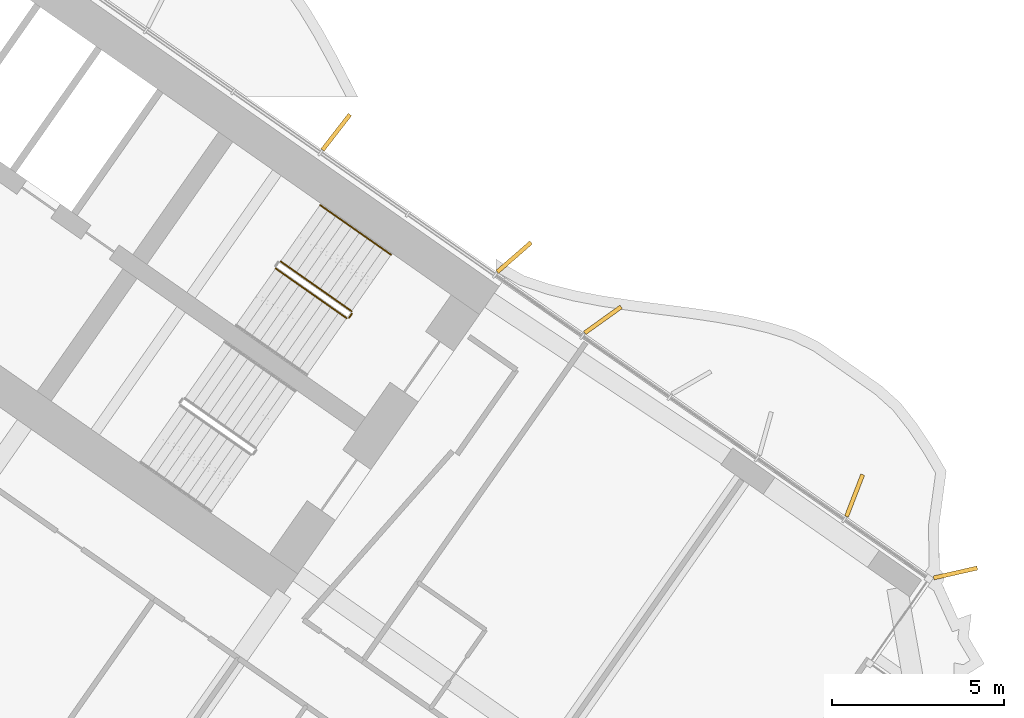
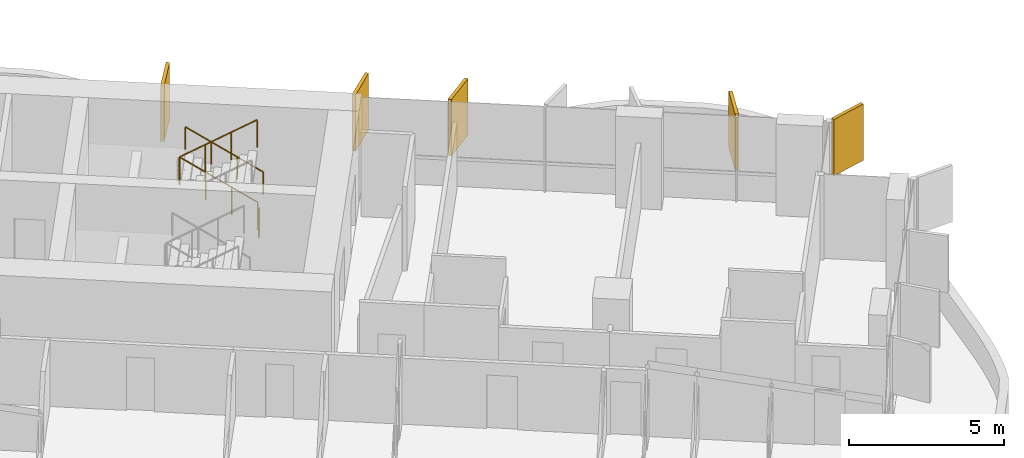
# One storey, part 23 of 23: 5 shading devices, 4 railings.
"""IFC4 building model written with IfcOpenShell, lengths in metres."""

import ifcopenshell
import ifcopenshell.guid

model = None  # the IFC model being written
_history = None  # IfcOwnerHistory: only IFC2X3 demands one
_inside = {}  # id of a spatial element -> (the spatial element, [elements in it])
_under = {}  # id of a project, library or spatial element -> (it, [spatial elements below it])
_declared = {}  # id of a project -> (the project, [libraries it declares])
_typed = {}  # id of a type object -> (the type object, [elements of that type])
_made_of = {}  # id of a material, layer set ... -> (it, [elements and type objects made of it])


def new_model(schema):
    """Start an empty IFC model of exactly this schema.

    Asked for "IFC4X3", IfcOpenShell would pick the latest addendum, in which some entities
    have other attributes; the version numbers below select the first issue.
    IFC2X3 requires an IfcOwnerHistory on every rooted entity: one is made here for all.
    """
    global model, _history
    if schema == "IFC4X3":
        model = ifcopenshell.file(schema_version=(4, 3, 0, 0))
    else:
        model = ifcopenshell.file(schema=schema)
    _inside.clear()
    _under.clear()
    _declared.clear()
    _typed.clear()
    _made_of.clear()
    _history = None
    if model.schema == "IFC2X3":
        org = make("IfcOrganization", Name="unknown")
        user = make(
            "IfcPersonAndOrganization",
            ThePerson=make("IfcPerson", FamilyName="unknown"),
            TheOrganization=org,
        )
        app = make(
            "IfcApplication",
            ApplicationDeveloper=org,
            Version="unknown",
            ApplicationFullName="unknown",
            ApplicationIdentifier="unknown",
        )
        _history = make(
            "IfcOwnerHistory",
            OwningUser=user,
            OwningApplication=app,
            ChangeAction="ADDED",
            CreationDate=0,
        )
    return model


def make(cls, **values):
    """One entity of the class cls with the attributes given. An attribute that is None is left unset."""
    return model.create_entity(
        cls, **{name: value for name, value in values.items() if value is not None}
    )


def rooted(cls, **values):
    """An entity with a GlobalId (a new one), such as an element, a storey or a relation."""
    return make(cls, GlobalId=ifcopenshell.guid.new(), OwnerHistory=_history, **values)


def si_unit(unit_type, name, prefix=None):
    """IfcSIUnit, for example si_unit("LENGTHUNIT", "METRE", prefix="MILLI")."""
    return make("IfcSIUnit", UnitType=unit_type, Prefix=prefix, Name=name)


def assignment(units):
    """IfcUnitAssignment: the units of a project."""
    return None if units is None else make("IfcUnitAssignment", Units=units)


def point(xyz):
    """IfcCartesianPoint."""
    return None if xyz is None else make("IfcCartesianPoint", Coordinates=xyz)


def direction(xyz):
    """IfcDirection."""
    return None if xyz is None else make("IfcDirection", DirectionRatios=xyz)


def frame(location, z_axis=None, x_axis=None):
    """IfcAxis2Placement3D, a coordinate frame: its origin and axes. An axis left out is left unset."""
    return make(
        "IfcAxis2Placement3D",
        Location=point(location),
        Axis=direction(z_axis),
        RefDirection=direction(x_axis),
    )


def frame_2d(location, x_axis=None):
    """IfcAxis2Placement2D, a coordinate frame in the plane: its origin and x axis."""
    return make(
        "IfcAxis2Placement2D", Location=point(location), RefDirection=direction(x_axis)
    )


def origin():
    """The frame at (0, 0, 0) with its axes left unset."""
    return frame((0.0, 0.0, 0.0))


def origin_2d():
    """The frame at (0, 0) in the plane with its x axis left unset."""
    return frame_2d((0.0, 0.0))


def place(relative_to, where):
    """IfcLocalPlacement: puts the frame where relative to a parent placement (None: the world)."""
    return make(
        "IfcLocalPlacement", PlacementRelTo=relative_to, RelativePlacement=where
    )


def context(
    kind, dimensions, precision=None, world=None, true_north=None, identifier=None
):
    """IfcGeometricRepresentationContext, for example the 3D "Model" context."""
    return make(
        "IfcGeometricRepresentationContext",
        ContextIdentifier=identifier,
        ContextType=kind,
        CoordinateSpaceDimension=dimensions,
        Precision=precision,
        WorldCoordinateSystem=world,
        TrueNorth=true_north,
    )


def subcontext(parent, identifier, kind, view, scale=None):
    """IfcGeometricRepresentationSubContext, for example "Body" below "Model"."""
    return make(
        "IfcGeometricRepresentationSubContext",
        ContextIdentifier=identifier,
        ContextType=kind,
        ParentContext=parent,
        TargetScale=scale,
        TargetView=view,
    )


def project(units=None, contexts=None):
    """IfcProject with its units and contexts."""
    return rooted(
        "IfcProject",
        Name="project",
        RepresentationContexts=contexts,
        UnitsInContext=assignment(units),
    )


def spatial(cls, under=None, at=None, **own):
    """A site, building, storey or space (cls), placed at a placement, below another one or the project."""
    s = rooted(cls, ObjectPlacement=at, **own)
    if under is not None:
        _under.setdefault(under.id(), (under, []))[1].append(s)
    return s


def profile(cls, at=None, kind="AREA", **sizes):
    """A parametric profile (cls). Its sizes go by their IFC names, for example OverallWidth=200.0."""
    return make(cls, ProfileType=kind, Position=at, **sizes)


def rectangle(**sizes):
    """IfcRectangleProfileDef."""
    return profile("IfcRectangleProfileDef", **sizes)


def circle(**sizes):
    """IfcCircleProfileDef."""
    return profile("IfcCircleProfileDef", **sizes)


def extrude(swept, where, along, depth):
    """IfcExtrudedAreaSolid: the profile swept, set in the frame where, extruded along a direction by depth."""
    return make(
        "IfcExtrudedAreaSolid",
        SweptArea=swept,
        Position=where,
        ExtrudedDirection=direction(along),
        Depth=depth,
    )


def shape(context_of_items, identifier, shape_type, items):
    """IfcShapeRepresentation: the items that make up one representation, for example the "Body"."""
    return make(
        "IfcShapeRepresentation",
        ContextOfItems=context_of_items,
        RepresentationIdentifier=identifier,
        RepresentationType=shape_type,
        Items=items,
    )


def material(Name=None, Category=None):
    """IfcMaterial."""
    return make("IfcMaterial", Name=Name, Category=Category)


def layer(
    of_material, thickness, ventilated=None, Name=None, Category=None, Priority=None
):
    """IfcMaterialLayer: one layer of a wall or slab, of a material (None: an air gap)."""
    return make(
        "IfcMaterialLayer",
        Material=of_material,
        LayerThickness=thickness,
        IsVentilated=ventilated,
        Name=Name,
        Category=Category,
        Priority=Priority,
    )


def layer_set(layers, Name=None):
    """IfcMaterialLayerSet."""
    return make("IfcMaterialLayerSet", MaterialLayers=layers, LayerSetName=Name)


def made_of(thing, what):
    """Note that an element or type object is made of a material, layer set ...; save() writes the relation."""
    if what is not None:
        _made_of.setdefault(what.id(), (what, []))[1].append(thing)
    return thing


def type_object(cls, material=None, **own):
    """A type object (cls), such as IfcWallType, which elements share."""
    return made_of(rooted(cls, **own), material)


def element(
    cls,
    number,
    at=None,
    inside=None,
    cuts=None,
    type_object=None,
    material=None,
    context=None,
    identifier="Body",
    shape_type=None,
    held_by="IfcProductDefinitionShape",
    body=None,
    shapes=None,
    **own,
):
    """One element of the class cls, such as IfcWall. Its Tag is "e" and its number.

    at: its placement. inside: the storey or other place that contains it. cuts: it is an
    opening in that element (IfcRelVoidsElement). A single representation is given by context,
    identifier, shape_type and body (its items); several are given by shapes. held_by: the class
    of the entity that holds the representations. save() writes the other relations.
    """
    e = rooted(cls, Tag="e%d" % number, ObjectPlacement=at, **own)
    if body is not None:
        shapes = [shape(context, identifier, shape_type, body)]
    if shapes is not None:
        e.Representation = make(held_by, Representations=shapes)
    if inside is not None:
        _inside.setdefault(inside.id(), (inside, []))[1].append(e)
    if cuts is not None:
        rooted(
            "IfcRelVoidsElement", RelatingBuildingElement=cuts, RelatedOpeningElement=e
        )
    if type_object is not None:
        _typed.setdefault(type_object.id(), (type_object, []))[1].append(e)
    return made_of(e, material)


def aggregate(whole, parts):
    """IfcRelAggregates: a whole, such as a stair, and the parts it consists of."""
    return rooted("IfcRelAggregates", RelatingObject=whole, RelatedObjects=parts)


def save(model, path):
    """Write the relations noted so far, then the file.

    IfcRelAggregates (storeys below a building ...), IfcRelContainedInSpatialStructure (elements
    in a storey), IfcRelDefinesByType, IfcRelAssociatesMaterial and IfcRelDeclares: one each for
    every whole, place, type object, material and project.
    """
    for whole, parts in _under.values():
        aggregate(whole, parts)
    for where, things in _inside.values():
        rooted(
            "IfcRelContainedInSpatialStructure",
            RelatedElements=things,
            RelatingStructure=where,
        )
    for kind, things in _typed.values():
        rooted("IfcRelDefinesByType", RelatedObjects=things, RelatingType=kind)
    for what, things in _made_of.values():
        rooted("IfcRelAssociatesMaterial", RelatedObjects=things, RelatingMaterial=what)
    for by, libraries in _declared.values():
        rooted("IfcRelDeclares", RelatingContext=by, RelatedDefinitions=libraries)
    model.write(path)


model = new_model("IFC4")

# Units and contexts
model_context = context("Model", 3, precision=1e-05, world=origin(), true_north=direction((0.0, 1.0)))
body_context = subcontext(model_context, "Body", "Model", "MODEL_VIEW")
ifc_project = project(units=[si_unit("LENGTHUNIT", "METRE"), si_unit("AREAUNIT", "SQUARE_METRE"), si_unit("VOLUMEUNIT", "CUBIC_METRE"), si_unit("PLANEANGLEUNIT", "RADIAN"), si_unit("MASSUNIT", "GRAM", prefix="KILO")], contexts=[model_context])

# Site, building, storey
site_placement = place(None, origin())
site = spatial("IfcSite", under=ifc_project, at=site_placement, CompositionType="ELEMENT")
building_placement = place(site_placement, origin())
building = spatial("IfcBuilding", under=site, at=building_placement, Name="Tel Ilan Convention Tower", CompositionType="ELEMENT")
storey_placement = place(building_placement, frame((0.0, 0.0, 119.300048828125)))
storey = spatial("IfcBuildingStorey", under=building, at=storey_placement, Name="L26", CompositionType="ELEMENT", Elevation=119.300048828125)

# Shading devices
ifc_material_1 = material(Name="Aluminium, bronze anodised", Category="aluminium")
ifc_layer = layer(ifc_material_1, 0.1201171875)
ifc_layer_set = layer_set([ifc_layer], Name="FIN BRONZE 1300x120")
shading_device_type = type_object("IfcShadingDeviceType", Name="FIN BRONZE 1300x120", PredefinedType="USERDEFINED", material=ifc_layer_set)
for number, where, z_axis, x_axis, name in (
    (1, (28.40380859375, -6.283203125, 1.10009765625), (0.0, 0.0, 1.0), (0.753435896329, 0.657521368568, 0.0), "FIN"),
    (2, (23.23193359375, -2.653564453125, 1.10009765625), (0.0, 0.0, 1.0), (0.612600545196, 0.790392669516, 0.0), "FIN"),
    (3, (41.22705078125, -15.459716796875, 1.10009765625), (0.0, 0.0, 1.0), (0.975235208752, 0.221170268371, 0.0), "FIN"),
    (4, (38.2958984375, -13.209716796875, 1.10009765625), (0.0, 0.0, 1.0), (0.360177724803, 0.932883704733, 0.0), "FIN"),
    (5, (30.983154296875, -8.1044921875, 1.10009765625), (0.0, 0.0, 1.0), (0.813552070258, 0.581492071294, 0.0), "FIN"),
):
    element("IfcShadingDevice", number, at=place(storey_placement, frame(where, z_axis=z_axis, x_axis=x_axis)), inside=storey, type_object=shading_device_type, Name=name, ObjectType="FIN", PredefinedType="USERDEFINED", context=body_context, shape_type="SweptSolid", body=[
        extrude(rectangle(XDim=1.300048828125, YDim=0.1201171875, at=origin_2d()), origin(), (0.0, 0.0, 1.0), 2.219970703125),
    ])

# Railings
ifc_material_2 = material(Name="Stainless Steel Grade 316", Category="steel")
railing_type_1 = type_object("IfcRailingType", Name="Stainless Steel Stair Guard 1100 mm", PredefinedType="GUARDRAIL", material=ifc_material_2)
railing_1_placement = place(storey_placement, frame((23.6787109375, -7.8515625, 0.179931640625)))
element("IfcRailing", 6, at=railing_1_placement, inside=storey, type_object=railing_type_1, Name="L26 S3 stair guard 1", PredefinedType="GUARDRAIL", context=body_context, shape_type="SweptSolid", body=[
    extrude(circle(Radius=0.02392578125, at=origin_2d()), frame((0.0, 0.0, 1.076171875), z_axis=(-0.689013013563, 0.482512838948, 0.540779462804), x_axis=(-0.573624882958, -0.819118119475, 0.0)), (0.0, 0.0, 1.0), 2.995849609375),
    extrude(circle(Radius=0.02099609375, at=origin_2d()), origin(), (0.0, 0.0, 1.0), 1.052001953125),
    extrude(circle(Radius=0.02099609375, at=origin_2d()), frame((-0.68798828125, 0.48193359375, 0.5400390625)), (0.0, 0.0, 1.0), 1.052001953125),
    extrude(circle(Radius=0.02099609375, at=origin_2d()), frame((-1.376220703125, 0.963623046875, 1.080078125)), (0.0, 0.0, 1.0), 1.052001953125),
    extrude(circle(Radius=0.02099609375, at=origin_2d()), frame((-2.064208984375, 1.445556640625, 1.6201171875)), (0.0, 0.0, 1.0), 1.052001953125),
])
railing_2_placement = place(storey_placement, frame((21.47119140625, -6.61083984375, 1.97998046875)))
element("IfcRailing", 7, at=railing_2_placement, inside=storey, type_object=railing_type_1, Name="L26 S3 stair guard 3", PredefinedType="GUARDRAIL", context=body_context, shape_type="SweptSolid", body=[
    extrude(circle(Radius=0.02392578125, at=origin_2d()), frame((0.0, 0.0, 1.076171875), z_axis=(0.689043377453, -0.48253410265, 0.540721798865), x_axis=(0.573624882958, 0.819118119475, 0.0)), (0.0, 0.0, 1.0), 2.995849609375),
    extrude(circle(Radius=0.02099609375, at=origin_2d()), origin(), (0.0, 0.0, 1.0), 1.052001953125),
    extrude(circle(Radius=0.02099609375, at=origin_2d()), frame((0.68798828125, -0.48193359375, 0.5400390625)), (0.0, 0.0, 1.0), 1.052001953125),
    extrude(circle(Radius=0.02099609375, at=origin_2d()), frame((1.376220703125, -0.963623046875, 1.079833984375)), (0.0, 0.0, 1.0), 1.052001953125),
    extrude(circle(Radius=0.02099609375, at=origin_2d()), frame((2.064208984375, -1.445556640625, 1.619873046875)), (0.0, 0.0, 1.0), 1.052001953125),
])
railing_3_placement = place(storey_placement, frame((23.691162109375, -7.921142578125, 0.0)))
element("IfcRailing", 8, at=railing_3_placement, inside=storey, type_object=railing_type_1, Name="L26 S3 stair guard 4", PredefinedType="GUARDRAIL", context=body_context, shape_type="SweptSolid", body=[
    extrude(circle(Radius=0.02392578125, at=origin_2d()), frame((0.0, 0.0, 1.076171875), z_axis=(-0.574444878118, -0.818543268254, 0.0), x_axis=(0.818543268254, -0.574444878118, 0.0)), (0.0, 0.0, 1.0), 0.150146484375),
    extrude(circle(Radius=0.02099609375, at=origin_2d()), origin(), (0.0, 0.0, 1.0), 1.052001953125),
    extrude(circle(Radius=0.02099609375, at=origin_2d()), frame((-0.086181640625, -0.122802734375, 0.0)), (0.0, 0.0, 1.0), 1.052001953125),
])
ifc_material_3 = material(Name="Stainless Steel Grade 316", Category="steel")
railing_type_2 = type_object("IfcRailingType", Name="Stainless Steel Stair Handrail 900 mm", PredefinedType="HANDRAIL", material=ifc_material_3)
railing_4_placement = place(storey_placement, frame((24.825927734375, -6.213134765625, 0.179931640625)))
element("IfcRailing", 9, at=railing_4_placement, inside=storey, type_object=railing_type_2, Name="L26 S3 stair handrail 1", PredefinedType="HANDRAIL", context=body_context, shape_type="SweptSolid", body=[
    extrude(circle(Radius=0.02392578125, at=origin_2d()), frame((0.0, 0.0, 0.8759765625), z_axis=(-0.689040105437, 0.482450316285, 0.54080072616), x_axis=(-0.573559875649, -0.819163639968, 0.0)), (0.0, 0.0, 1.0), 2.995849609375),
    extrude(circle(Radius=0.02099609375, at=origin_2d()), origin(), (0.0, 0.0, 1.0), 0.851806640625),
    extrude(circle(Radius=0.02099609375, at=origin_2d()), frame((-0.68798828125, 0.481689453125, 0.5400390625)), (0.0, 0.0, 1.0), 0.851806640625),
    extrude(circle(Radius=0.02099609375, at=origin_2d()), frame((-1.376220703125, 0.963623046875, 1.080078125)), (0.0, 0.0, 1.0), 0.851806640625),
    extrude(circle(Radius=0.02099609375, at=origin_2d()), frame((-2.064208984375, 1.4453125, 1.6201171875)), (0.0, 0.0, 1.0), 0.851806640625),
])

save(model, "model.ifc")
